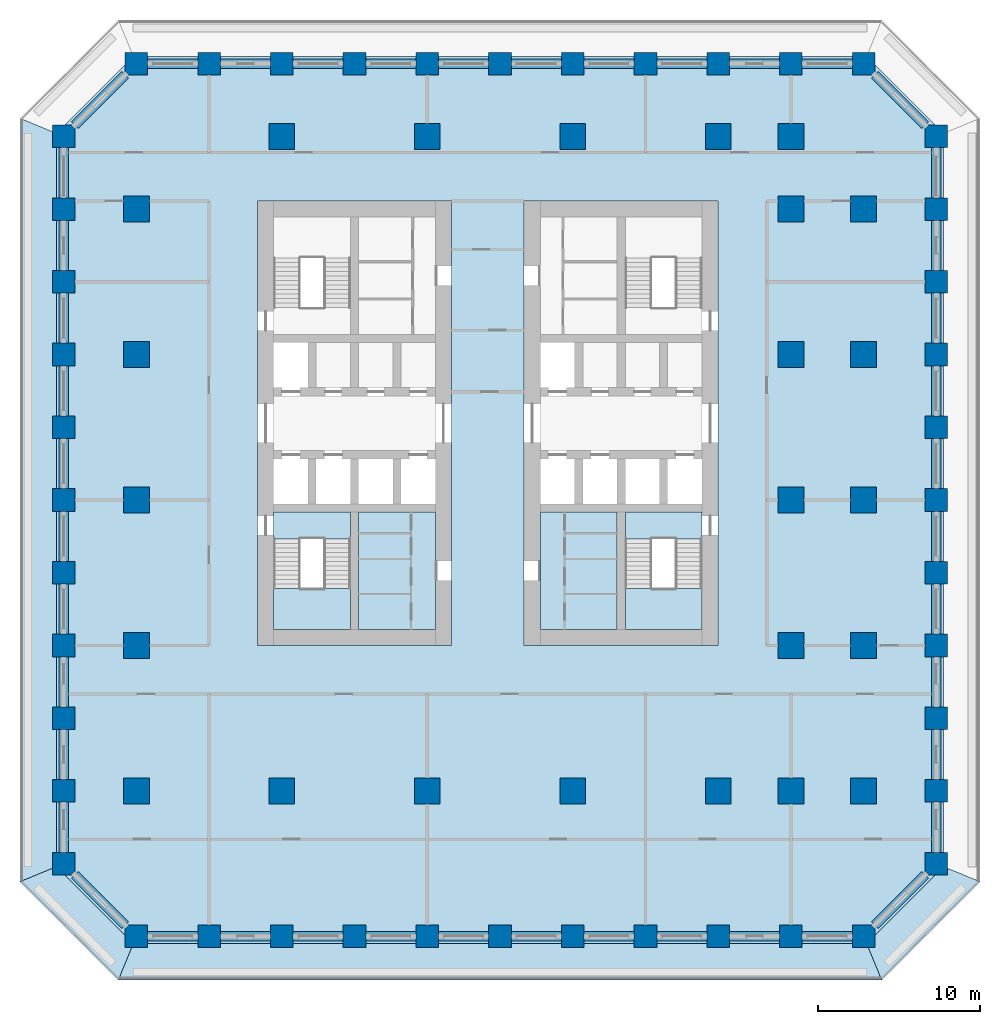
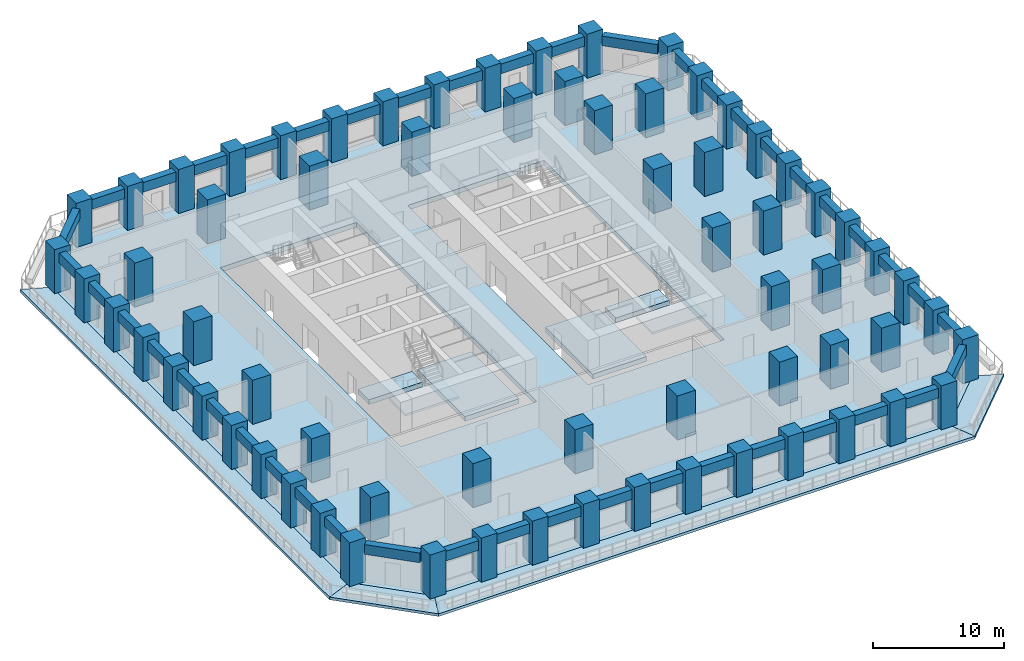
# One storey, part 1 of 11: 68 columns, 44 beams, 11 slabs, 2 elements without a shape of their own.
"""IFC4 building model written with IfcOpenShell, lengths in metres."""

from ifc_helpers import new_model, si_unit, direction, frame, origin, origin_2d, place, context, subcontext, project, spatial, polyline, rectangle, outline, extrude, material, layer, layer_set, material_profile, profile_set, type_object, element, aggregate, save


model = new_model("IFC4")

# Units and contexts
model_context = context("Model", 3, precision=1e-05, world=origin(), true_north=direction((0.0, 1.0)))
body_context = subcontext(model_context, "Body", "Model", "MODEL_VIEW")
ifc_project = project(units=[si_unit("LENGTHUNIT", "METRE"), si_unit("AREAUNIT", "SQUARE_METRE"), si_unit("VOLUMEUNIT", "CUBIC_METRE"), si_unit("PLANEANGLEUNIT", "RADIAN"), si_unit("MASSUNIT", "GRAM", prefix="KILO")], contexts=[model_context])

# Site, building, storey
site_placement = place(None, origin())
site = spatial("IfcSite", under=ifc_project, at=site_placement, CompositionType="ELEMENT")
building_placement = place(site_placement, origin())
building = spatial("IfcBuilding", under=site, at=building_placement, Name="Corbel Stack Research Tower", CompositionType="ELEMENT")
storey_placement = place(building_placement, frame((0.0, 0.0, 46.0)))
storey = spatial("IfcBuildingStorey", under=building, at=storey_placement, Name="L10", CompositionType="ELEMENT", Elevation=46.0)

# Columns
ifc_material_1 = material(Name="Concrete C70/85", Category="concrete")
ifc_material_profile_1 = material_profile(ifc_material_1, rectangle(XDim=1.39990234375, YDim=1.39990234375, at=origin_2d()), Name="RC 1400 x 1400")
ifc_profile_set_1 = profile_set([ifc_material_profile_1], Name="Concrete C70/85")
column_type_1 = type_object("IfcColumnType", Name="C-1400-70", PredefinedType="COLUMN", material=ifc_profile_set_1)
for number, where, z_axis, x_axis, name in (
    (1, (-22.5, -22.5, 0.0), (0.0, 0.0, 1.0), (1.0, 0.0, 0.0), "Column 3/C L10"),
    (2, (-22.5, -18.0, 0.0), (0.0, 0.0, 1.0), (1.0, 0.0, 0.0), "Column 3/D L10"),
    (3, (-22.5, -13.5, 0.0), (0.0, 0.0, 1.0), (1.0, 0.0, 0.0), "Column 3/E L10"),
    (4, (-22.5, -9.0, 0.0), (0.0, 0.0, 1.0), (1.0, 0.0, 0.0), "Column 3/F L10"),
    (5, (-22.5, -4.5, 0.0), (0.0, 0.0, 1.0), (1.0, 0.0, 0.0), "Column 3/G L10"),
    (6, (-22.5, 0.0, 0.0), (0.0, 0.0, 1.0), (1.0, 0.0, 0.0), "Column 3/H L10"),
    (7, (-22.5, 4.5, 0.0), (0.0, 0.0, 1.0), (1.0, 0.0, 0.0), "Column 3/J L10"),
    (8, (-22.5, 9.0, 0.0), (0.0, 0.0, 1.0), (1.0, 0.0, 0.0), "Column 3/K L10"),
    (9, (-22.5, 13.5, 0.0), (0.0, 0.0, 1.0), (1.0, 0.0, 0.0), "Column 3/L L10"),
    (10, (-22.5, 18.0, 0.0), (0.0, 0.0, 1.0), (1.0, 0.0, 0.0), "Column 3/M L10"),
    (11, (-22.5, 22.5, 0.0), (0.0, 0.0, 1.0), (1.0, 0.0, 0.0), "Column 3/N L10"),
    (12, (-18.0, -27.0, 0.0), (0.0, 0.0, 1.0), (1.0, 0.0, 0.0), "Column 4/B L10"),
    (13, (-18.0, 27.0, 0.0), (0.0, 0.0, 1.0), (1.0, 0.0, 0.0), "Column 4/P L10"),
    (14, (-13.5, -27.0, 0.0), (0.0, 0.0, 1.0), (1.0, 0.0, 0.0), "Column 5/B L10"),
    (15, (-13.5, 27.0, 0.0), (0.0, 0.0, 1.0), (1.0, 0.0, 0.0), "Column 5/P L10"),
    (16, (-9.0, -27.0, 0.0), (0.0, 0.0, 1.0), (1.0, 0.0, 0.0), "Column 6/B L10"),
    (17, (-9.0, 27.0, 0.0), (0.0, 0.0, 1.0), (1.0, 0.0, 0.0), "Column 6/P L10"),
    (18, (-4.5, -27.0, 0.0), (0.0, 0.0, 1.0), (1.0, 0.0, 0.0), "Column 7/B L10"),
    (19, (-4.5, 27.0, 0.0), (0.0, 0.0, 1.0), (1.0, 0.0, 0.0), "Column 7/P L10"),
    (20, (0.0, -27.0, 0.0), (0.0, 0.0, 1.0), (1.0, 0.0, 0.0), "Column 8/B L10"),
    (21, (0.0, 27.0, 0.0), (0.0, 0.0, 1.0), (1.0, 0.0, 0.0), "Column 8/P L10"),
    (22, (4.5, -27.0, 0.0), (0.0, 0.0, 1.0), (1.0, 0.0, 0.0), "Column 9/B L10"),
    (23, (4.5, 27.0, 0.0), (0.0, 0.0, 1.0), (1.0, 0.0, 0.0), "Column 9/P L10"),
    (24, (9.0, -27.0, 0.0), (0.0, 0.0, 1.0), (1.0, 0.0, 0.0), "Column 10/B L10"),
    (25, (9.0, 27.0, 0.0), (0.0, 0.0, 1.0), (1.0, 0.0, 0.0), "Column 10/P L10"),
    (26, (13.5, -27.0, 0.0), (0.0, 0.0, 1.0), (1.0, 0.0, 0.0), "Column 11/B L10"),
    (27, (13.5, 27.0, 0.0), (0.0, 0.0, 1.0), (1.0, 0.0, 0.0), "Column 11/P L10"),
    (28, (18.0, -27.0, 0.0), (0.0, 0.0, 1.0), (1.0, 0.0, 0.0), "Column 12/B L10"),
    (29, (18.0, 27.0, 0.0), (0.0, 0.0, 1.0), (1.0, 0.0, 0.0), "Column 12/P L10"),
    (30, (22.5, -27.0, 0.0), (0.0, 0.0, 1.0), (1.0, 0.0, 0.0), "Column 13/B L10"),
    (31, (22.5, 27.0, 0.0), (0.0, 0.0, 1.0), (1.0, 0.0, 0.0), "Column 13/P L10"),
    (32, (27.0, -27.0, 0.0), (0.0, 0.0, 1.0), (1.0, 0.0, 0.0), "Column 14/B L10"),
    (33, (27.0, 27.0, 0.0), (0.0, 0.0, 1.0), (1.0, 0.0, 0.0), "Column 14/P L10"),
    (34, (31.5, -22.5, 0.0), (0.0, 0.0, 1.0), (1.0, 0.0, 0.0), "Column 15/C L10"),
    (35, (31.5, -18.0, 0.0), (0.0, 0.0, 1.0), (1.0, 0.0, 0.0), "Column 15/D L10"),
    (36, (31.5, -13.5, 0.0), (0.0, 0.0, 1.0), (1.0, 0.0, 0.0), "Column 15/E L10"),
    (37, (31.5, -9.0, 0.0), (0.0, 0.0, 1.0), (1.0, 0.0, 0.0), "Column 15/F L10"),
    (38, (31.5, -4.5, 0.0), (0.0, 0.0, 1.0), (1.0, 0.0, 0.0), "Column 15/G L10"),
    (39, (31.5, 0.0, 0.0), (0.0, 0.0, 1.0), (1.0, 0.0, 0.0), "Column 15/H L10"),
    (40, (31.5, 4.5, 0.0), (0.0, 0.0, 1.0), (1.0, 0.0, 0.0), "Column 15/J L10"),
    (41, (31.5, 9.0, 0.0), (0.0, 0.0, 1.0), (1.0, 0.0, 0.0), "Column 15/K L10"),
    (42, (31.5, 13.5, 0.0), (0.0, 0.0, 1.0), (1.0, 0.0, 0.0), "Column 15/L L10"),
    (43, (31.5, 18.0, 0.0), (0.0, 0.0, 1.0), (1.0, 0.0, 0.0), "Column 15/M L10"),
    (44, (31.5, 22.5, 0.0), (0.0, 0.0, 1.0), (1.0, 0.0, 0.0), "Column 15/N L10"),
):
    element("IfcColumn", number, at=place(storey_placement, frame(where, z_axis=z_axis, x_axis=x_axis)), inside=storey, type_object=column_type_1, Name=name, PredefinedType="COLUMN", context=body_context, shape_type="SweptSolid", body=[
        extrude(rectangle(XDim=1.39990234375, YDim=1.39990234375, at=origin_2d()), origin(), (0.0, 0.0, 1.0), 4.10009765625),
    ])
ifc_material_2 = material(Name="Concrete C70/85", Category="concrete")
ifc_material_profile_2 = material_profile(ifc_material_2, rectangle(XDim=1.60009765625, YDim=1.60009765625, at=origin_2d()), Name="RC 1600 x 1600")
ifc_profile_set_2 = profile_set([ifc_material_profile_2], Name="Concrete C70/85")
column_type_2 = type_object("IfcColumnType", Name="C-1600-70", PredefinedType="COLUMN", material=ifc_profile_set_2)
for number, where, z_axis, x_axis, name in (
    (45, (-18.0, -18.0, 0.0), (0.0, 0.0, 1.0), (1.0, 0.0, 0.0), "Column 4/D L10"),
    (46, (-18.0, -9.0, 0.0), (0.0, 0.0, 1.0), (1.0, 0.0, 0.0), "Column 4/F L10"),
    (47, (-18.0, 0.0, 0.0), (0.0, 0.0, 1.0), (1.0, 0.0, 0.0), "Column 4/H L10"),
    (48, (-18.0, 9.0, 0.0), (0.0, 0.0, 1.0), (1.0, 0.0, 0.0), "Column 4/K L10"),
    (49, (-18.0, 18.0, 0.0), (0.0, 0.0, 1.0), (1.0, 0.0, 0.0), "Column 4/M L10"),
    (50, (-9.0, -18.0, 0.0), (0.0, 0.0, 1.0), (1.0, 0.0, 0.0), "Column 6/D L10"),
    (51, (-9.0, 22.5, 0.0), (0.0, 0.0, 1.0), (1.0, 0.0, 0.0), "Column 6/N L10"),
    (52, (0.0, -18.0, 0.0), (0.0, 0.0, 1.0), (1.0, 0.0, 0.0), "Column 8/D L10"),
    (53, (0.0, 22.5, 0.0), (0.0, 0.0, 1.0), (1.0, 0.0, 0.0), "Column 8/N L10"),
    (54, (9.0, -18.0, 0.0), (0.0, 0.0, 1.0), (1.0, 0.0, 0.0), "Column 10/D L10"),
    (55, (9.0, 22.5, 0.0), (0.0, 0.0, 1.0), (1.0, 0.0, 0.0), "Column 10/N L10"),
    (56, (18.0, -18.0, 0.0), (0.0, 0.0, 1.0), (1.0, 0.0, 0.0), "Column 12/D L10"),
    (57, (18.0, 22.5, 0.0), (0.0, 0.0, 1.0), (1.0, 0.0, 0.0), "Column 12/N L10"),
    (58, (22.5, -18.0, 0.0), (0.0, 0.0, 1.0), (1.0, 0.0, 0.0), "Column 13/D L10"),
    (59, (22.5, -9.0, 0.0), (0.0, 0.0, 1.0), (1.0, 0.0, 0.0), "Column 13/F L10"),
    (60, (22.5, 0.0, 0.0), (0.0, 0.0, 1.0), (1.0, 0.0, 0.0), "Column 13/H L10"),
    (61, (22.5, 9.0, 0.0), (0.0, 0.0, 1.0), (1.0, 0.0, 0.0), "Column 13/K L10"),
    (62, (22.5, 18.0, 0.0), (0.0, 0.0, 1.0), (1.0, 0.0, 0.0), "Column 13/M L10"),
    (63, (22.5, 22.5, 0.0), (0.0, 0.0, 1.0), (1.0, 0.0, 0.0), "Column 13/N L10"),
    (64, (27.0, -18.0, 0.0), (0.0, 0.0, 1.0), (1.0, 0.0, 0.0), "Column 14/D L10"),
    (65, (27.0, -9.0, 0.0), (0.0, 0.0, 1.0), (1.0, 0.0, 0.0), "Column 14/F L10"),
    (66, (27.0, 0.0, 0.0), (0.0, 0.0, 1.0), (1.0, 0.0, 0.0), "Column 14/H L10"),
    (67, (27.0, 9.0, 0.0), (0.0, 0.0, 1.0), (1.0, 0.0, 0.0), "Column 14/K L10"),
    (68, (27.0, 18.0, 0.0), (0.0, 0.0, 1.0), (1.0, 0.0, 0.0), "Column 14/M L10"),
):
    element("IfcColumn", number, at=place(storey_placement, frame(where, z_axis=z_axis, x_axis=x_axis)), inside=storey, type_object=column_type_2, Name=name, PredefinedType="COLUMN", context=body_context, shape_type="SweptSolid", body=[
        extrude(rectangle(XDim=1.60009765625, YDim=1.60009765625, at=origin_2d()), origin(), (0.0, 0.0, 1.0), 4.10009765625),
    ])

# Beams
ifc_material_3 = material(Name="Concrete C60/75", Category="concrete")
ifc_material_profile_3 = material_profile(ifc_material_3, rectangle(XDim=0.60009765625, YDim=0.89990234375, at=origin_2d()), Name="RC 600 x 900")
ifc_profile_set_3 = profile_set([ifc_material_profile_3], Name="Concrete C60/75")
beam_type = type_object("IfcBeamType", Name="SB-600-900-450", PredefinedType="SPANDREL", material=ifc_profile_set_3)
for number, where, z_axis, x_axis, name in (
    (69, (-17.300048828125, -27.0, 3.199951171875), (1.0, 0.0, 0.0), (0.0, 1.0, 0.0), "Spandrel beam L10-01"),
    (70, (-12.800048828125, -27.0, 3.199951171875), (1.0, 0.0, 0.0), (0.0, 1.0, 0.0), "Spandrel beam L10-02"),
    (71, (-8.300048828125, -27.0, 3.199951171875), (1.0, 0.0, 0.0), (0.0, 1.0, 0.0), "Spandrel beam L10-03"),
    (72, (-3.800048828125, -27.0, 3.199951171875), (1.0, 0.0, 0.0), (0.0, 1.0, 0.0), "Spandrel beam L10-04"),
    (73, (0.699951171875, -27.0, 3.199951171875), (1.0, 0.0, 0.0), (0.0, 1.0, 0.0), "Spandrel beam L10-05"),
    (74, (5.199951171875, -27.0, 3.199951171875), (1.0, 0.0, 0.0), (0.0, 1.0, 0.0), "Spandrel beam L10-06"),
    (75, (9.699951171875, -27.0, 3.199951171875), (1.0, 0.0, 0.0), (0.0, 1.0, 0.0), "Spandrel beam L10-07"),
    (76, (14.199951171875, -27.0, 3.199951171875), (1.0, 0.0, 0.0), (0.0, 1.0, 0.0), "Spandrel beam L10-08"),
    (77, (18.699951171875, -27.0, 3.199951171875), (1.0, 0.0, 0.0), (0.0, 1.0, 0.0), "Spandrel beam L10-09"),
    (78, (23.199951171875, -27.0, 3.199951171875), (1.0, 0.0, 0.0), (0.0, 1.0, 0.0), "Spandrel beam L10-10"),
):
    element("IfcBeam", number, at=place(storey_placement, frame(where, z_axis=z_axis, x_axis=x_axis)), inside=storey, type_object=beam_type, Name=name, PredefinedType="SPANDREL", context=body_context, shape_type="SweptSolid", body=[
        extrude(rectangle(XDim=0.60009765625, YDim=0.89990234375, at=origin_2d()), origin(), (0.0, 0.0, 1.0), 3.10009765625),
    ])
beam_1_placement = place(storey_placement, frame((27.699951171875, -26.300048828125, 3.199951171875), z_axis=(0.707106781187, 0.707106781187, 0.0), x_axis=(-0.707106781187, 0.707106781187, 0.0)))
element("IfcBeam", 79, at=beam_1_placement, inside=storey, type_object=beam_type, Name="Spandrel beam L10-11", PredefinedType="SPANDREL", context=body_context, shape_type="SweptSolid", body=[
    extrude(rectangle(XDim=0.60009765625, YDim=0.89990234375, at=origin_2d()), origin(), (0.0, 0.0, 1.0), 4.38427734375),
])
for number, where, z_axis, x_axis, name in (
    (80, (31.5, -21.800048828125, 3.199951171875), (0.0, 1.0, 0.0), (-1.0, 0.0, 0.0), "Spandrel beam L10-12"),
    (81, (31.5, -17.300048828125, 3.199951171875), (0.0, 1.0, 0.0), (-1.0, 0.0, 0.0), "Spandrel beam L10-13"),
    (82, (31.5, -12.800048828125, 3.199951171875), (0.0, 1.0, 0.0), (-1.0, 0.0, 0.0), "Spandrel beam L10-14"),
    (83, (31.5, -8.300048828125, 3.199951171875), (0.0, 1.0, 0.0), (-1.0, 0.0, 0.0), "Spandrel beam L10-15"),
    (84, (31.5, -3.800048828125, 3.199951171875), (0.0, 1.0, 0.0), (-1.0, 0.0, 0.0), "Spandrel beam L10-16"),
    (85, (31.5, 0.699951171875, 3.199951171875), (0.0, 1.0, 0.0), (-1.0, 0.0, 0.0), "Spandrel beam L10-17"),
    (86, (31.5, 5.199951171875, 3.199951171875), (0.0, 1.0, 0.0), (-1.0, 0.0, 0.0), "Spandrel beam L10-18"),
    (87, (31.5, 9.699951171875, 3.199951171875), (0.0, 1.0, 0.0), (-1.0, 0.0, 0.0), "Spandrel beam L10-19"),
    (88, (31.5, 14.199951171875, 3.199951171875), (0.0, 1.0, 0.0), (-1.0, 0.0, 0.0), "Spandrel beam L10-20"),
    (89, (31.5, 18.699951171875, 3.199951171875), (0.0, 1.0, 0.0), (-1.0, 0.0, 0.0), "Spandrel beam L10-21"),
):
    element("IfcBeam", number, at=place(storey_placement, frame(where, z_axis=z_axis, x_axis=x_axis)), inside=storey, type_object=beam_type, Name=name, PredefinedType="SPANDREL", context=body_context, shape_type="SweptSolid", body=[
        extrude(rectangle(XDim=0.60009765625, YDim=0.89990234375, at=origin_2d()), origin(), (0.0, 0.0, 1.0), 3.10009765625),
    ])
beam_2_placement = place(storey_placement, frame((30.800048828125, 23.199951171875, 3.199951171875), z_axis=(-0.707106781187, 0.707106781187, 0.0), x_axis=(-0.707106781187, -0.707106781187, 0.0)))
element("IfcBeam", 90, at=beam_2_placement, inside=storey, type_object=beam_type, Name="Spandrel beam L10-22", PredefinedType="SPANDREL", context=body_context, shape_type="SweptSolid", body=[
    extrude(rectangle(XDim=0.60009765625, YDim=0.89990234375, at=origin_2d()), origin(), (0.0, 0.0, 1.0), 4.38427734375),
])
for number, where, z_axis, x_axis, name in (
    (91, (26.300048828125, 27.0, 3.199951171875), (-1.0, 0.0, 0.0), (0.0, -1.0, 0.0), "Spandrel beam L10-23"),
    (92, (21.800048828125, 27.0, 3.199951171875), (-1.0, 0.0, 0.0), (0.0, -1.0, 0.0), "Spandrel beam L10-24"),
    (93, (17.300048828125, 27.0, 3.199951171875), (-1.0, 0.0, 0.0), (0.0, -1.0, 0.0), "Spandrel beam L10-25"),
    (94, (12.800048828125, 27.0, 3.199951171875), (-1.0, 0.0, 0.0), (0.0, -1.0, 0.0), "Spandrel beam L10-26"),
    (95, (8.300048828125, 27.0, 3.199951171875), (-1.0, 0.0, 0.0), (0.0, -1.0, 0.0), "Spandrel beam L10-27"),
    (96, (3.800048828125, 27.0, 3.199951171875), (-1.0, 0.0, 0.0), (0.0, -1.0, 0.0), "Spandrel beam L10-28"),
    (97, (-0.699951171875, 27.0, 3.199951171875), (-1.0, 0.0, 0.0), (0.0, -1.0, 0.0), "Spandrel beam L10-29"),
    (98, (-5.199951171875, 27.0, 3.199951171875), (-1.0, 0.0, 0.0), (0.0, -1.0, 0.0), "Spandrel beam L10-30"),
    (99, (-9.699951171875, 27.0, 3.199951171875), (-1.0, 0.0, 0.0), (0.0, -1.0, 0.0), "Spandrel beam L10-31"),
    (100, (-14.199951171875, 27.0, 3.199951171875), (-1.0, 0.0, 0.0), (0.0, -1.0, 0.0), "Spandrel beam L10-32"),
):
    element("IfcBeam", number, at=place(storey_placement, frame(where, z_axis=z_axis, x_axis=x_axis)), inside=storey, type_object=beam_type, Name=name, PredefinedType="SPANDREL", context=body_context, shape_type="SweptSolid", body=[
        extrude(rectangle(XDim=0.60009765625, YDim=0.89990234375, at=origin_2d()), origin(), (0.0, 0.0, 1.0), 3.10009765625),
    ])
beam_3_placement = place(storey_placement, frame((-18.699951171875, 26.300048828125, 3.199951171875), z_axis=(-0.707106781187, -0.707106781187, 0.0), x_axis=(0.707106781187, -0.707106781187, 0.0)))
element("IfcBeam", 101, at=beam_3_placement, inside=storey, type_object=beam_type, Name="Spandrel beam L10-33", PredefinedType="SPANDREL", context=body_context, shape_type="SweptSolid", body=[
    extrude(rectangle(XDim=0.60009765625, YDim=0.89990234375, at=origin_2d()), origin(), (0.0, 0.0, 1.0), 4.38427734375),
])
for number, where, z_axis, x_axis, name in (
    (102, (-22.5, 21.800048828125, 3.199951171875), (0.0, -1.0, 0.0), (1.0, 0.0, 0.0), "Spandrel beam L10-34"),
    (103, (-22.5, 17.300048828125, 3.199951171875), (0.0, -1.0, 0.0), (1.0, 0.0, 0.0), "Spandrel beam L10-35"),
    (104, (-22.5, 12.800048828125, 3.199951171875), (0.0, -1.0, 0.0), (1.0, 0.0, 0.0), "Spandrel beam L10-36"),
    (105, (-22.5, 8.300048828125, 3.199951171875), (0.0, -1.0, 0.0), (1.0, 0.0, 0.0), "Spandrel beam L10-37"),
    (106, (-22.5, 3.800048828125, 3.199951171875), (0.0, -1.0, 0.0), (1.0, 0.0, 0.0), "Spandrel beam L10-38"),
    (107, (-22.5, -0.699951171875, 3.199951171875), (0.0, -1.0, 0.0), (1.0, 0.0, 0.0), "Spandrel beam L10-39"),
    (108, (-22.5, -5.199951171875, 3.199951171875), (0.0, -1.0, 0.0), (1.0, 0.0, 0.0), "Spandrel beam L10-40"),
    (109, (-22.5, -9.699951171875, 3.199951171875), (0.0, -1.0, 0.0), (1.0, 0.0, 0.0), "Spandrel beam L10-41"),
    (110, (-22.5, -14.199951171875, 3.199951171875), (0.0, -1.0, 0.0), (1.0, 0.0, 0.0), "Spandrel beam L10-42"),
    (111, (-22.5, -18.699951171875, 3.199951171875), (0.0, -1.0, 0.0), (1.0, 0.0, 0.0), "Spandrel beam L10-43"),
):
    element("IfcBeam", number, at=place(storey_placement, frame(where, z_axis=z_axis, x_axis=x_axis)), inside=storey, type_object=beam_type, Name=name, PredefinedType="SPANDREL", context=body_context, shape_type="SweptSolid", body=[
        extrude(rectangle(XDim=0.60009765625, YDim=0.89990234375, at=origin_2d()), origin(), (0.0, 0.0, 1.0), 3.10009765625),
    ])
beam_4_placement = place(storey_placement, frame((-21.800048828125, -23.199951171875, 3.199951171875), z_axis=(0.707106781187, -0.707106781187, 0.0), x_axis=(0.707106781187, 0.707106781187, 0.0)))
element("IfcBeam", 112, at=beam_4_placement, inside=storey, type_object=beam_type, Name="Spandrel beam L10-44", PredefinedType="SPANDREL", context=body_context, shape_type="SweptSolid", body=[
    extrude(rectangle(XDim=0.60009765625, YDim=0.89990234375, at=origin_2d()), origin(), (0.0, 0.0, 1.0), 4.38427734375),
])

# Slabs
ifc_material_4 = material(Name="Concrete C45/55", Category="concrete")
ifc_layer_1 = layer(ifc_material_4, 0.25)
ifc_layer_set_1 = layer_set([ifc_layer_1], Name="Concrete C45/55")
slab_type_1 = type_object("IfcSlabType", Name="PT balcony slab 250 C45/55", PredefinedType="FLOOR", material=ifc_layer_set_1)
slab_1_placement = place(storey_placement, frame((0.0, 0.0, -0.25)))
element("IfcSlab", 113, at=slab_1_placement, inside=storey, type_object=slab_type_1, Name="Loggia slab L10 S", PredefinedType="FLOOR", context=body_context, shape_type="SweptSolid", body=[
    extrude(outline(polyline([(27.289794921875, -27.699951171875), (26.300048828125, -27.699951171875), (26.300048828125, -27.449951171875), (23.199951171875, -27.449951171875), (23.199951171875, -27.699951171875), (21.800048828125, -27.699951171875), (21.800048828125, -27.449951171875), (18.699951171875, -27.449951171875), (18.699951171875, -27.699951171875), (17.300048828125, -27.699951171875), (17.300048828125, -27.449951171875), (14.199951171875, -27.449951171875), (14.199951171875, -27.699951171875), (12.800048828125, -27.699951171875), (12.800048828125, -27.449951171875), (9.699951171875, -27.449951171875), (9.699951171875, -27.699951171875), (8.300048828125, -27.699951171875), (8.300048828125, -27.449951171875), (5.199951171875, -27.449951171875), (5.199951171875, -27.699951171875), (3.800048828125, -27.699951171875), (3.800048828125, -27.449951171875), (0.699951171875, -27.449951171875), (0.699951171875, -27.699951171875), (-0.699951171875, -27.699951171875), (-0.699951171875, -27.449951171875), (-3.800048828125, -27.449951171875), (-3.800048828125, -27.699951171875), (-5.199951171875, -27.699951171875), (-5.199951171875, -27.449951171875), (-8.300048828125, -27.449951171875), (-8.300048828125, -27.699951171875), (-9.699951171875, -27.699951171875), (-9.699951171875, -27.449951171875), (-12.800048828125, -27.449951171875), (-12.800048828125, -27.699951171875), (-14.199951171875, -27.699951171875), (-14.199951171875, -27.449951171875), (-17.300048828125, -27.449951171875), (-17.300048828125, -27.699951171875), (-18.289794921875, -27.699951171875), (-19.118408203125, -29.699951171875), (28.118408203125, -29.699951171875), (27.289794921875, -27.699951171875)])), origin(), (0.0, 0.0, 1.0), 0.25),
])
slab_2_placement = place(storey_placement, frame((0.0, 0.0, -0.25)))
element("IfcSlab", 114, at=slab_2_placement, inside=storey, type_object=slab_type_1, Name="Loggia slab L10 SE", PredefinedType="FLOOR", context=body_context, shape_type="SweptSolid", body=[
    extrude(outline(polyline([(32.199951171875, -22.789794921875), (32.199951171875, -23.199951171875), (31.436279296875, -23.199951171875), (27.699951171875, -26.936279296875), (27.699951171875, -27.699951171875), (27.289794921875, -27.699951171875), (28.118408203125, -29.699951171875), (34.199951171875, -23.618408203125), (32.199951171875, -22.789794921875)])), origin(), (0.0, 0.0, 1.0), 0.25),
])
slab_3_placement = place(storey_placement, frame((0.0, 0.0, -0.25)))
element("IfcSlab", 115, at=slab_3_placement, inside=storey, type_object=slab_type_1, Name="Loggia slab L10 W", PredefinedType="FLOOR", context=body_context, shape_type="SweptSolid", body=[
    extrude(outline(polyline([(-23.199951171875, -22.789794921875), (-23.199951171875, -21.800048828125), (-22.949951171875, -21.800048828125), (-22.949951171875, -18.699951171875), (-23.199951171875, -18.699951171875), (-23.199951171875, -17.300048828125), (-22.949951171875, -17.300048828125), (-22.949951171875, -14.199951171875), (-23.199951171875, -14.199951171875), (-23.199951171875, -12.800048828125), (-22.949951171875, -12.800048828125), (-22.949951171875, -9.699951171875), (-23.199951171875, -9.699951171875), (-23.199951171875, -8.300048828125), (-22.949951171875, -8.300048828125), (-22.949951171875, -5.199951171875), (-23.199951171875, -5.199951171875), (-23.199951171875, -3.800048828125), (-22.949951171875, -3.800048828125), (-22.949951171875, -0.699951171875), (-23.199951171875, -0.699951171875), (-23.199951171875, 0.699951171875), (-22.949951171875, 0.699951171875), (-22.949951171875, 3.800048828125), (-23.199951171875, 3.800048828125), (-23.199951171875, 5.199951171875), (-22.949951171875, 5.199951171875), (-22.949951171875, 8.300048828125), (-23.199951171875, 8.300048828125), (-23.199951171875, 9.699951171875), (-22.949951171875, 9.699951171875), (-22.949951171875, 12.800048828125), (-23.199951171875, 12.800048828125), (-23.199951171875, 14.199951171875), (-22.949951171875, 14.199951171875), (-22.949951171875, 17.300048828125), (-23.199951171875, 17.300048828125), (-23.199951171875, 18.699951171875), (-22.949951171875, 18.699951171875), (-22.949951171875, 21.800048828125), (-23.199951171875, 21.800048828125), (-23.199951171875, 22.789794921875), (-25.199951171875, 23.618408203125), (-25.199951171875, -23.618408203125), (-23.199951171875, -22.789794921875)])), origin(), (0.0, 0.0, 1.0), 0.25),
])
slab_4_placement = place(storey_placement, frame((0.0, 0.0, -0.25)))
element("IfcSlab", 116, at=slab_4_placement, inside=storey, type_object=slab_type_1, Name="Loggia slab L10 SW", PredefinedType="FLOOR", context=body_context, shape_type="SweptSolid", body=[
    extrude(outline(polyline([(-18.289794921875, -27.699951171875), (-18.699951171875, -27.699951171875), (-18.699951171875, -26.936279296875), (-22.436279296875, -23.199951171875), (-23.199951171875, -23.199951171875), (-23.199951171875, -22.789794921875), (-25.199951171875, -23.618408203125), (-19.118408203125, -29.699951171875), (-18.289794921875, -27.699951171875)])), origin(), (0.0, 0.0, 1.0), 0.25),
])
ifc_material_5 = material(Name="Concrete C45/55", Category="concrete")
ifc_layer_2 = layer(ifc_material_5, 0.449951171875)
ifc_layer_set_2 = layer_set([ifc_layer_2], Name="Concrete C45/55")
slab_type_2 = type_object("IfcSlabType", Name="PT-450", PredefinedType="FLOOR", material=ifc_layer_set_2)
slab_5_placement = place(storey_placement, frame((0.0, 0.0, -0.449951171875)))
element("IfcSlab", 117, at=slab_5_placement, inside=storey, type_object=slab_type_2, Name="Floor slab L10", PredefinedType="FLOOR", context=body_context, shape_type="SweptSolid", body=[
    extrude(outline(polyline([(-18.186279296875, -27.449951171875), (27.186279296875, -27.449951171875), (31.949951171875, -22.686279296875), (31.949951171875, 22.686279296875), (27.186279296875, 27.449951171875), (-18.186279296875, 27.449951171875), (-22.949951171875, 22.686279296875), (-22.949951171875, -22.686279296875), (-18.186279296875, -27.449951171875)]), holes=[polyline([(26.199951171875, 17.199951171875), (26.199951171875, 18.800048828125), (27.800048828125, 18.800048828125), (27.800048828125, 17.199951171875), (26.199951171875, 17.199951171875)]), polyline([(26.199951171875, 8.199951171875), (26.199951171875, 9.800048828125), (27.800048828125, 9.800048828125), (27.800048828125, 8.199951171875), (26.199951171875, 8.199951171875)]), polyline([(27.800048828125, -0.800048828125), (26.199951171875, -0.800048828125), (26.199951171875, 0.800048828125), (27.800048828125, 0.800048828125), (27.800048828125, -0.800048828125)]), polyline([(26.199951171875, -9.800048828125), (26.199951171875, -8.199951171875), (27.800048828125, -8.199951171875), (27.800048828125, -9.800048828125), (26.199951171875, -9.800048828125)]), polyline([(26.199951171875, -18.800048828125), (26.199951171875, -17.199951171875), (27.800048828125, -17.199951171875), (27.800048828125, -18.800048828125), (26.199951171875, -18.800048828125)]), polyline([(21.699951171875, 21.699951171875), (21.699951171875, 23.300048828125), (23.300048828125, 23.300048828125), (23.300048828125, 21.699951171875), (21.699951171875, 21.699951171875)]), polyline([(21.699951171875, 17.199951171875), (21.699951171875, 18.800048828125), (23.300048828125, 18.800048828125), (23.300048828125, 17.199951171875), (21.699951171875, 17.199951171875)]), polyline([(21.699951171875, 8.199951171875), (21.699951171875, 9.800048828125), (23.300048828125, 9.800048828125), (23.300048828125, 8.199951171875), (21.699951171875, 8.199951171875)]), polyline([(21.699951171875, -0.800048828125), (21.699951171875, 0.800048828125), (23.300048828125, 0.800048828125), (23.300048828125, -0.800048828125), (21.699951171875, -0.800048828125)]), polyline([(23.300048828125, -9.800048828125), (21.699951171875, -9.800048828125), (21.699951171875, -8.199951171875), (23.300048828125, -8.199951171875), (23.300048828125, -9.800048828125)]), polyline([(21.699951171875, -18.800048828125), (21.699951171875, -17.199951171875), (23.300048828125, -17.199951171875), (23.300048828125, -18.800048828125), (21.699951171875, -18.800048828125)]), polyline([(17.199951171875, 21.699951171875), (17.199951171875, 23.300048828125), (18.800048828125, 23.300048828125), (18.800048828125, 21.699951171875), (17.199951171875, 21.699951171875)]), polyline([(18.800048828125, -18.800048828125), (17.199951171875, -18.800048828125), (17.199951171875, -17.199951171875), (18.800048828125, -17.199951171875), (18.800048828125, -18.800048828125)]), polyline([(6.0, -9.0), (6.0, 18.5), (18.0, 18.5), (18.0, -9.0), (6.0, -9.0)]), polyline([(8.199951171875, 21.699951171875), (8.199951171875, 23.300048828125), (9.800048828125, 23.300048828125), (9.800048828125, 21.699951171875), (8.199951171875, 21.699951171875)]), polyline([(9.800048828125, -18.800048828125), (8.199951171875, -18.800048828125), (8.199951171875, -17.199951171875), (9.800048828125, -17.199951171875), (9.800048828125, -18.800048828125)]), polyline([(1.5, -9.0), (-10.5, -9.0), (-10.5, 18.5), (1.5, 18.5), (1.5, -9.0)]), polyline([(-0.800048828125, 21.699951171875), (-0.800048828125, 23.300048828125), (0.800048828125, 23.300048828125), (0.800048828125, 21.699951171875), (-0.800048828125, 21.699951171875)]), polyline([(-0.800048828125, -18.800048828125), (-0.800048828125, -17.199951171875), (0.800048828125, -17.199951171875), (0.800048828125, -18.800048828125), (-0.800048828125, -18.800048828125)]), polyline([(-9.800048828125, 21.699951171875), (-9.800048828125, 23.300048828125), (-8.199951171875, 23.300048828125), (-8.199951171875, 21.699951171875), (-9.800048828125, 21.699951171875)]), polyline([(-9.800048828125, -18.800048828125), (-9.800048828125, -17.199951171875), (-8.199951171875, -17.199951171875), (-8.199951171875, -18.800048828125), (-9.800048828125, -18.800048828125)]), polyline([(-18.800048828125, 17.199951171875), (-18.800048828125, 18.800048828125), (-17.199951171875, 18.800048828125), (-17.199951171875, 17.199951171875), (-18.800048828125, 17.199951171875)]), polyline([(-18.800048828125, 8.199951171875), (-18.800048828125, 9.800048828125), (-17.199951171875, 9.800048828125), (-17.199951171875, 8.199951171875), (-18.800048828125, 8.199951171875)]), polyline([(-18.800048828125, -0.800048828125), (-18.800048828125, 0.800048828125), (-17.199951171875, 0.800048828125), (-17.199951171875, -0.800048828125), (-18.800048828125, -0.800048828125)]), polyline([(-18.800048828125, -9.800048828125), (-18.800048828125, -8.199951171875), (-17.199951171875, -8.199951171875), (-17.199951171875, -9.800048828125), (-18.800048828125, -9.800048828125)]), polyline([(-17.199951171875, -18.800048828125), (-18.800048828125, -18.800048828125), (-18.800048828125, -17.199951171875), (-17.199951171875, -17.199951171875), (-17.199951171875, -18.800048828125)])]), origin(), (0.0, 0.0, 1.0), 0.449951171875),
])
slab_6_placement = place(storey_placement, frame((0.0, 0.0, -0.449951171875)))
element("IfcSlab", 118, at=slab_6_placement, inside=storey, type_object=slab_type_2, Name="West core floor L10", PredefinedType="FLOOR", context=body_context, shape_type="SweptSolid", body=[
    extrude(outline(polyline([(-4.25, -0.75), (-4.25, -8.0), (0.5, -8.0), (0.5, -0.75), (-4.25, -0.75)])), origin(), (0.0, 0.0, 1.0), 0.449951171875),
])
slab_7_placement = place(storey_placement, frame((0.0, 0.0, -0.449951171875)))
element("IfcSlab", 119, at=slab_7_placement, inside=storey, type_object=slab_type_2, Name="East core floor L10", PredefinedType="FLOOR", context=body_context, shape_type="SweptSolid", body=[
    extrude(outline(polyline([(7.0, -0.75), (7.0, -8.0), (11.75, -8.0), (11.75, -0.75), (7.0, -0.75)])), origin(), (0.0, 0.0, 1.0), 0.449951171875),
])
slab_8_placement = place(storey_placement, frame((0.0, 0.0, -0.449951171875)))
element("IfcSlab", 120, at=slab_8_placement, inside=storey, type_object=slab_type_2, Name="Stair floor landing ST-W1", PredefinedType="FLOOR", context=body_context, shape_type="SweptSolid", body=[
    extrude(outline(polyline([(-9.5, -2.39990234375), (-4.75, -2.39990234375), (-4.75, -0.75), (-9.5, -0.75), (-9.5, -2.39990234375)])), origin(), (0.0, 0.0, 1.0), 0.449951171875),
])
slab_9_placement = place(storey_placement, frame((0.0, 0.0, -0.449951171875)))
element("IfcSlab", 121, at=slab_9_placement, inside=storey, type_object=slab_type_2, Name="Stair floor landing ST-E1", PredefinedType="FLOOR", context=body_context, shape_type="SweptSolid", body=[
    extrude(outline(polyline([(12.25, -2.39990234375), (17.0, -2.39990234375), (17.0, -0.75), (12.25, -0.75), (12.25, -2.39990234375)])), origin(), (0.0, 0.0, 1.0), 0.449951171875),
])

# Stair, slab
ifc_material_6 = material(Name="Concrete C40/50", Category="concrete")
stair_type = type_object("IfcStairType", Name="Exit stair 24 risers", PredefinedType="HALF_TURN_STAIR", material=ifc_material_6)
stair_1_placement = place(storey_placement, origin())
stair_1 = element("IfcStair", 122, at=stair_1_placement, inside=storey, type_object=stair_type, Name="L10 Exit stair ST-W1", PredefinedType="HALF_TURN_STAIR")
ifc_material_7 = material(Name="Concrete C40/50", Category="concrete")
ifc_layer_3 = layer(ifc_material_7, 0.199951171875)
ifc_layer_set_3 = layer_set([ifc_layer_3], Name="Concrete C40/50")
slab_type_3 = type_object("IfcSlabType", Name="Stair landing 200 C40/50", PredefinedType="LANDING", material=ifc_layer_set_3)
slab_10_placement = place(storey_placement, frame((0.0, 0.0, 1.85009765625)))
slab_10 = element("IfcSlab", 123, at=slab_10_placement, type_object=slab_type_3, Name="ST-W1 landing 1", PredefinedType="LANDING", context=body_context, shape_type="SweptSolid", body=[
    extrude(outline(polyline([(-9.5, -8.0), (-9.5, -5.47998046875), (-4.75, -5.47998046875), (-4.75, -8.0), (-9.5, -8.0)])), origin(), (0.0, 0.0, 1.0), 0.199951171875),
])
aggregate(stair_1, [slab_10])

stair_2_placement = place(storey_placement, origin())
stair_2 = element("IfcStair", 124, at=stair_2_placement, inside=storey, type_object=stair_type, Name="L10 Exit stair ST-E1", PredefinedType="HALF_TURN_STAIR")
slab_11_placement = place(storey_placement, frame((0.0, 0.0, 1.85009765625)))
slab_11 = element("IfcSlab", 125, at=slab_11_placement, type_object=slab_type_3, Name="ST-E1 landing 1", PredefinedType="LANDING", context=body_context, shape_type="SweptSolid", body=[
    extrude(outline(polyline([(12.25, -8.0), (12.25, -5.47998046875), (17.0, -5.47998046875), (17.0, -8.0), (12.25, -8.0)])), origin(), (0.0, 0.0, 1.0), 0.199951171875),
])
aggregate(stair_2, [slab_11])

save(model, "model.ifc")
